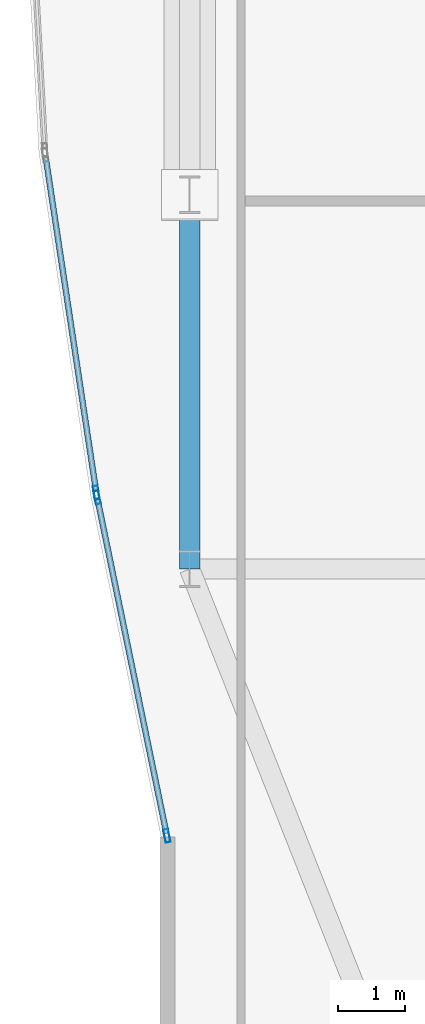
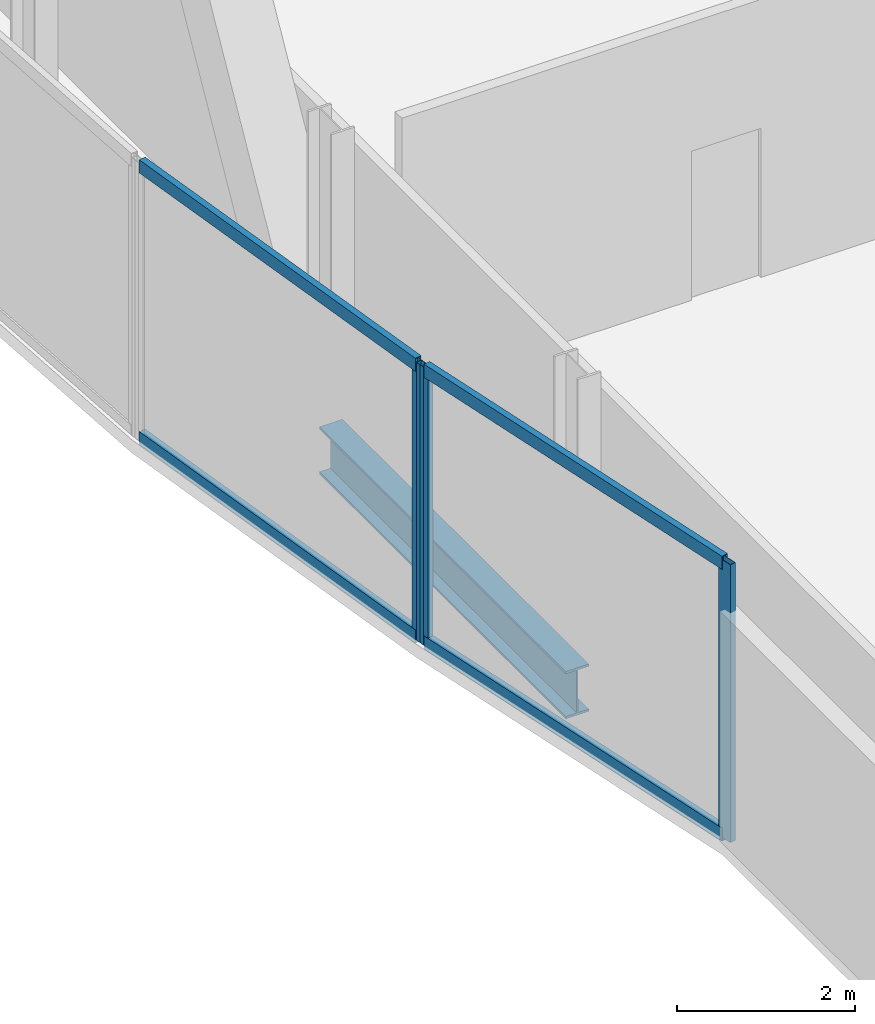
# One storey, part 6 of 36: 7 members, 1 beam, 2 elements without a shape of their own.
"""IFC4 building model written with IfcOpenShell, lengths in metres."""

import ifcopenshell
import ifcopenshell.guid

model = None  # the IFC model being written
_history = None  # IfcOwnerHistory: only IFC2X3 demands one
_inside = {}  # id of a spatial element -> (the spatial element, [elements in it])
_under = {}  # id of a project, library or spatial element -> (it, [spatial elements below it])
_declared = {}  # id of a project -> (the project, [libraries it declares])
_typed = {}  # id of a type object -> (the type object, [elements of that type])
_made_of = {}  # id of a material, layer set ... -> (it, [elements and type objects made of it])


def new_model(schema):
    """Start an empty IFC model of exactly this schema.

    Asked for "IFC4X3", IfcOpenShell would pick the latest addendum, in which some entities
    have other attributes; the version numbers below select the first issue.
    IFC2X3 requires an IfcOwnerHistory on every rooted entity: one is made here for all.
    """
    global model, _history
    if schema == "IFC4X3":
        model = ifcopenshell.file(schema_version=(4, 3, 0, 0))
    else:
        model = ifcopenshell.file(schema=schema)
    _inside.clear()
    _under.clear()
    _declared.clear()
    _typed.clear()
    _made_of.clear()
    _history = None
    if model.schema == "IFC2X3":
        org = make("IfcOrganization", Name="unknown")
        user = make(
            "IfcPersonAndOrganization",
            ThePerson=make("IfcPerson", FamilyName="unknown"),
            TheOrganization=org,
        )
        app = make(
            "IfcApplication",
            ApplicationDeveloper=org,
            Version="unknown",
            ApplicationFullName="unknown",
            ApplicationIdentifier="unknown",
        )
        _history = make(
            "IfcOwnerHistory",
            OwningUser=user,
            OwningApplication=app,
            ChangeAction="ADDED",
            CreationDate=0,
        )
    return model


def make(cls, **values):
    """One entity of the class cls with the attributes given. An attribute that is None is left unset."""
    return model.create_entity(
        cls, **{name: value for name, value in values.items() if value is not None}
    )


def rooted(cls, **values):
    """An entity with a GlobalId (a new one), such as an element, a storey or a relation."""
    return make(cls, GlobalId=ifcopenshell.guid.new(), OwnerHistory=_history, **values)


def si_unit(unit_type, name, prefix=None):
    """IfcSIUnit, for example si_unit("LENGTHUNIT", "METRE", prefix="MILLI")."""
    return make("IfcSIUnit", UnitType=unit_type, Prefix=prefix, Name=name)


def assignment(units):
    """IfcUnitAssignment: the units of a project."""
    return None if units is None else make("IfcUnitAssignment", Units=units)


def point(xyz):
    """IfcCartesianPoint."""
    return None if xyz is None else make("IfcCartesianPoint", Coordinates=xyz)


def direction(xyz):
    """IfcDirection."""
    return None if xyz is None else make("IfcDirection", DirectionRatios=xyz)


def frame(location, z_axis=None, x_axis=None):
    """IfcAxis2Placement3D, a coordinate frame: its origin and axes. An axis left out is left unset."""
    return make(
        "IfcAxis2Placement3D",
        Location=point(location),
        Axis=direction(z_axis),
        RefDirection=direction(x_axis),
    )


def frame_2d(location, x_axis=None):
    """IfcAxis2Placement2D, a coordinate frame in the plane: its origin and x axis."""
    return make(
        "IfcAxis2Placement2D", Location=point(location), RefDirection=direction(x_axis)
    )


def origin():
    """The frame at (0, 0, 0) with its axes left unset."""
    return frame((0.0, 0.0, 0.0))


def origin_2d():
    """The frame at (0, 0) in the plane with its x axis left unset."""
    return frame_2d((0.0, 0.0))


def place(relative_to, where):
    """IfcLocalPlacement: puts the frame where relative to a parent placement (None: the world)."""
    return make(
        "IfcLocalPlacement", PlacementRelTo=relative_to, RelativePlacement=where
    )


def context(
    kind, dimensions, precision=None, world=None, true_north=None, identifier=None
):
    """IfcGeometricRepresentationContext, for example the 3D "Model" context."""
    return make(
        "IfcGeometricRepresentationContext",
        ContextIdentifier=identifier,
        ContextType=kind,
        CoordinateSpaceDimension=dimensions,
        Precision=precision,
        WorldCoordinateSystem=world,
        TrueNorth=true_north,
    )


def subcontext(parent, identifier, kind, view, scale=None):
    """IfcGeometricRepresentationSubContext, for example "Body" below "Model"."""
    return make(
        "IfcGeometricRepresentationSubContext",
        ContextIdentifier=identifier,
        ContextType=kind,
        ParentContext=parent,
        TargetScale=scale,
        TargetView=view,
    )


def project(units=None, contexts=None):
    """IfcProject with its units and contexts."""
    return rooted(
        "IfcProject",
        Name="project",
        RepresentationContexts=contexts,
        UnitsInContext=assignment(units),
    )


def spatial(cls, under=None, at=None, **own):
    """A site, building, storey or space (cls), placed at a placement, below another one or the project."""
    s = rooted(cls, ObjectPlacement=at, **own)
    if under is not None:
        _under.setdefault(under.id(), (under, []))[1].append(s)
    return s


def profile(cls, at=None, kind="AREA", **sizes):
    """A parametric profile (cls). Its sizes go by their IFC names, for example OverallWidth=200.0."""
    return make(cls, ProfileType=kind, Position=at, **sizes)


def hollow_rectangle(**sizes):
    """IfcRectangleHollowProfileDef."""
    return profile("IfcRectangleHollowProfileDef", **sizes)


def i_section(**sizes):
    """IfcIShapeProfileDef."""
    return profile("IfcIShapeProfileDef", **sizes)


def extrude(swept, where, along, depth):
    """IfcExtrudedAreaSolid: the profile swept, set in the frame where, extruded along a direction by depth."""
    return make(
        "IfcExtrudedAreaSolid",
        SweptArea=swept,
        Position=where,
        ExtrudedDirection=direction(along),
        Depth=depth,
    )


def shape(context_of_items, identifier, shape_type, items):
    """IfcShapeRepresentation: the items that make up one representation, for example the "Body"."""
    return make(
        "IfcShapeRepresentation",
        ContextOfItems=context_of_items,
        RepresentationIdentifier=identifier,
        RepresentationType=shape_type,
        Items=items,
    )


def material(Name=None, Category=None):
    """IfcMaterial."""
    return make("IfcMaterial", Name=Name, Category=Category)


def material_profile(
    of_material, cross_section, Name=None, Category=None, Priority=None
):
    """IfcMaterialProfile: a cross section and its material."""
    return make(
        "IfcMaterialProfile",
        Name=Name,
        Material=of_material,
        Profile=cross_section,
        Priority=Priority,
        Category=Category,
    )


def profile_set(profiles, Name=None, composite=None):
    """IfcMaterialProfileSet."""
    return make(
        "IfcMaterialProfileSet",
        Name=Name,
        MaterialProfiles=profiles,
        CompositeProfile=composite,
    )


def made_of(thing, what):
    """Note that an element or type object is made of a material, layer set ...; save() writes the relation."""
    if what is not None:
        _made_of.setdefault(what.id(), (what, []))[1].append(thing)
    return thing


def type_object(cls, material=None, **own):
    """A type object (cls), such as IfcWallType, which elements share."""
    return made_of(rooted(cls, **own), material)


def element(
    cls,
    number,
    at=None,
    inside=None,
    cuts=None,
    type_object=None,
    material=None,
    context=None,
    identifier="Body",
    shape_type=None,
    held_by="IfcProductDefinitionShape",
    body=None,
    shapes=None,
    **own,
):
    """One element of the class cls, such as IfcWall. Its Tag is "e" and its number.

    at: its placement. inside: the storey or other place that contains it. cuts: it is an
    opening in that element (IfcRelVoidsElement). A single representation is given by context,
    identifier, shape_type and body (its items); several are given by shapes. held_by: the class
    of the entity that holds the representations. save() writes the other relations.
    """
    e = rooted(cls, Tag="e%d" % number, ObjectPlacement=at, **own)
    if body is not None:
        shapes = [shape(context, identifier, shape_type, body)]
    if shapes is not None:
        e.Representation = make(held_by, Representations=shapes)
    if inside is not None:
        _inside.setdefault(inside.id(), (inside, []))[1].append(e)
    if cuts is not None:
        rooted(
            "IfcRelVoidsElement", RelatingBuildingElement=cuts, RelatedOpeningElement=e
        )
    if type_object is not None:
        _typed.setdefault(type_object.id(), (type_object, []))[1].append(e)
    return made_of(e, material)


def aggregate(whole, parts):
    """IfcRelAggregates: a whole, such as a stair, and the parts it consists of."""
    return rooted("IfcRelAggregates", RelatingObject=whole, RelatedObjects=parts)


def save(model, path):
    """Write the relations noted so far, then the file.

    IfcRelAggregates (storeys below a building ...), IfcRelContainedInSpatialStructure (elements
    in a storey), IfcRelDefinesByType, IfcRelAssociatesMaterial and IfcRelDeclares: one each for
    every whole, place, type object, material and project.
    """
    for whole, parts in _under.values():
        aggregate(whole, parts)
    for where, things in _inside.values():
        rooted(
            "IfcRelContainedInSpatialStructure",
            RelatedElements=things,
            RelatingStructure=where,
        )
    for kind, things in _typed.values():
        rooted("IfcRelDefinesByType", RelatedObjects=things, RelatingType=kind)
    for what, things in _made_of.values():
        rooted("IfcRelAssociatesMaterial", RelatedObjects=things, RelatingMaterial=what)
    for by, libraries in _declared.values():
        rooted("IfcRelDeclares", RelatingContext=by, RelatedDefinitions=libraries)
    model.write(path)


model = new_model("IFC4")

# Units and contexts
model_context = context("Model", 3, precision=1e-05, world=origin(), true_north=direction((0.0, 1.0)))
body_context = subcontext(model_context, "Body", "Model", "MODEL_VIEW")
ifc_project = project(units=[si_unit("LENGTHUNIT", "METRE"), si_unit("AREAUNIT", "SQUARE_METRE"), si_unit("VOLUMEUNIT", "CUBIC_METRE"), si_unit("PLANEANGLEUNIT", "RADIAN"), si_unit("MASSUNIT", "GRAM", prefix="KILO")], contexts=[model_context])

# Site, building, storey
site_placement = place(None, origin())
site = spatial("IfcSite", under=ifc_project, at=site_placement, CompositionType="ELEMENT")
building_placement = place(site_placement, origin())
building = spatial("IfcBuilding", under=site, at=building_placement, Name="Khoronbel Lancet Exchange", CompositionType="ELEMENT")
storey_placement = place(building_placement, frame((0.0, 0.0, 49.800048828125)))
storey = spatial("IfcBuildingStorey", under=building, at=storey_placement, Name="L11", CompositionType="ELEMENT", Elevation=49.800048828125)

# Beam
ifc_material_1 = material(Name="Steel S355", Category="steel")
ifc_material_profile_1 = material_profile(ifc_material_1, i_section(OverallWidth=0.300048828125, OverallDepth=0.64990234375, WebThickness=0.01611328125, FlangeThickness=0.031005859375, at=origin_2d()), Name="HEB 650")
ifc_profile_set_1 = profile_set([ifc_material_profile_1], Name="Steel S355")
beam_type = type_object("IfcBeamType", Name="BM-BSP1", PredefinedType="SPANDREL", material=ifc_profile_set_1)
beam_placement = place(storey_placement, frame((1.27001953125, 24.75, -0.505126953125), z_axis=(0.0, -1.0, 0.0), x_axis=(1.0, 0.0, 0.0)))
element("IfcBeam", 1, at=beam_placement, inside=storey, type_object=beam_type, Name="Level L11 perimeter spandrel beam SP20", PredefinedType="SPANDREL", context=body_context, shape_type="SweptSolid", body=[
    extrude(i_section(OverallWidth=0.300048828125, OverallDepth=0.64990234375, WebThickness=0.01611328125, FlangeThickness=0.031005859375, at=origin_2d()), origin(), (0.0, 0.0, 1.0), 5.550048828125),
])

# Curtain wall, members
ifc_material_2 = material(Name="Low-E Solar Control Insulating Glass", Category="glass")
curtain_wall_type = type_object("IfcCurtainWallType", Name="CW-4", PredefinedType="NOTDEFINED", material=ifc_material_2)
curtain_wall_1_placement = place(storey_placement, origin())
curtain_wall_1 = element("IfcCurtainWall", 2, at=curtain_wall_1_placement, inside=storey, type_object=curtain_wall_type, Name="Unitised curtain wall CW-L11-E04", PredefinedType="NOTDEFINED")
ifc_material_3 = material(Name="Bronze-Anodised Aluminium 6063-T6", Category="aluminium")
ifc_material_profile_2 = material_profile(ifc_material_3, hollow_rectangle(XDim=0.074951171875, YDim=0.199951171875, WallThickness=0.0048828125, at=origin_2d()), Name="ALU MULLION 75x200")
ifc_profile_set_2 = profile_set([ifc_material_profile_2], Name="Bronze-Anodised Aluminium 6063-T6")
member_type_1 = type_object("IfcMemberType", Name="MEM-CWM2", PredefinedType="MULLION", material=ifc_profile_set_2)
member_1_placement = place(storey_placement, frame((0.932373046875, 15.245849609375, 0.0), z_axis=(0.0, 0.0, 1.0), x_axis=(-0.979396974504, -0.201944463486, 0.0)))
member_1 = element("IfcMember", 3, at=member_1_placement, type_object=member_type_1, Name="CW4 mullion 1", PredefinedType="MULLION", context=body_context, shape_type="SweptSolid", body=[
    extrude(hollow_rectangle(XDim=0.074951171875, YDim=0.199951171875, WallThickness=0.0048828125, at=origin_2d()), origin(), (0.0, 0.0, 1.0), 3.820068359375),
])
member_2_placement = place(storey_placement, frame((-0.101806640625, 20.262451171875, 0.0), z_axis=(0.0, 0.0, 1.0), x_axis=(-0.979396974504, -0.201944463486, 0.0)))
member_2 = element("IfcMember", 4, at=member_2_placement, type_object=member_type_1, Name="CW4 mullion 2", PredefinedType="MULLION", context=body_context, shape_type="SweptSolid", body=[
    extrude(hollow_rectangle(XDim=0.074951171875, YDim=0.199951171875, WallThickness=0.0048828125, at=origin_2d()), origin(), (0.0, 0.0, 1.0), 3.820068359375),
])

# Curtain wall, member
curtain_wall_2_placement = place(storey_placement, origin())
curtain_wall_2 = element("IfcCurtainWall", 5, at=curtain_wall_2_placement, inside=storey, type_object=curtain_wall_type, Name="Unitised curtain wall CW-L11-E05", PredefinedType="NOTDEFINED")
member_3_placement = place(storey_placement, frame((-0.114990234375, 20.336181640625, 0.0), z_axis=(0.0, 0.0, 1.0), x_axis=(-0.988799357855, -0.149250895825, 0.0)))
member_3 = element("IfcMember", 6, at=member_3_placement, type_object=member_type_1, Name="CW4 mullion 1", PredefinedType="MULLION", context=body_context, shape_type="SweptSolid", body=[
    extrude(hollow_rectangle(XDim=0.074951171875, YDim=0.199951171875, WallThickness=0.0048828125, at=origin_2d()), origin(), (0.0, 0.0, 1.0), 3.820068359375),
])

# Member
ifc_material_profile_3 = material_profile(ifc_material_3, hollow_rectangle(XDim=0.0849609375, YDim=0.179931640625, WallThickness=0.0048828125, at=origin_2d()), Name="ALU TRANSOM 85x180")
ifc_profile_set_3 = profile_set([ifc_material_profile_3], Name="Bronze-Anodised Aluminium 6063-T6")
member_type_2 = type_object("IfcMemberType", Name="MEM-CWT1", PredefinedType="USERDEFINED", material=ifc_profile_set_3)
member_4_placement = place(storey_placement, frame((0.9248046875, 15.28271484375, 0.04248046875), z_axis=(-0.201917711832, 0.979402490118, 0.0), x_axis=(-0.979402490118, -0.201917711832, 0.0)))
member_4 = element("IfcMember", 7, at=member_4_placement, type_object=member_type_2, Name="CW4 transom 1.1", ObjectType="TRANSOM", PredefinedType="USERDEFINED", context=body_context, shape_type="SweptSolid", body=[
    extrude(hollow_rectangle(XDim=0.0849609375, YDim=0.179931640625, WallThickness=0.0048828125, at=origin_2d()), origin(), (0.0, 0.0, 1.0), 5.046875),
])

member_5_placement = place(storey_placement, frame((0.9248046875, 15.28271484375, 3.77734375), z_axis=(-0.201917711832, 0.979402490118, 0.0), x_axis=(-0.979402490118, -0.201917711832, 0.0)))
member_5 = element("IfcMember", 8, at=member_5_placement, type_object=member_type_2, Name="CW4 transom 1.2", ObjectType="TRANSOM", PredefinedType="USERDEFINED", context=body_context, shape_type="SweptSolid", body=[
    extrude(hollow_rectangle(XDim=0.0849609375, YDim=0.179931640625, WallThickness=0.0048828125, at=origin_2d()), origin(), (0.0, 0.0, 1.0), 5.046875),
])

aggregate(curtain_wall_1, [member_1, member_2, member_4, member_5])

member_6_placement = place(storey_placement, frame((-0.12060546875, 20.373291015625, 0.04248046875), z_axis=(-0.149248174322, 0.988799768639, 0.0), x_axis=(-0.988799768639, -0.149248174322, 0.0)))
member_6 = element("IfcMember", 9, at=member_6_placement, type_object=member_type_2, Name="CW4 transom 1.1", ObjectType="TRANSOM", PredefinedType="USERDEFINED", context=body_context, shape_type="SweptSolid", body=[
    extrude(hollow_rectangle(XDim=0.0849609375, YDim=0.179931640625, WallThickness=0.0048828125, at=origin_2d()), origin(), (0.0, 0.0, 1.0), 4.984375),
])

member_7_placement = place(storey_placement, frame((-0.12060546875, 20.373291015625, 3.77734375), z_axis=(-0.149248174322, 0.988799768639, 0.0), x_axis=(-0.988799768639, -0.149248174322, 0.0)))
member_7 = element("IfcMember", 10, at=member_7_placement, type_object=member_type_2, Name="CW4 transom 1.2", ObjectType="TRANSOM", PredefinedType="USERDEFINED", context=body_context, shape_type="SweptSolid", body=[
    extrude(hollow_rectangle(XDim=0.0849609375, YDim=0.179931640625, WallThickness=0.0048828125, at=origin_2d()), origin(), (0.0, 0.0, 1.0), 4.984375),
])

aggregate(curtain_wall_2, [member_3, member_6, member_7])

save(model, "model.ifc")
